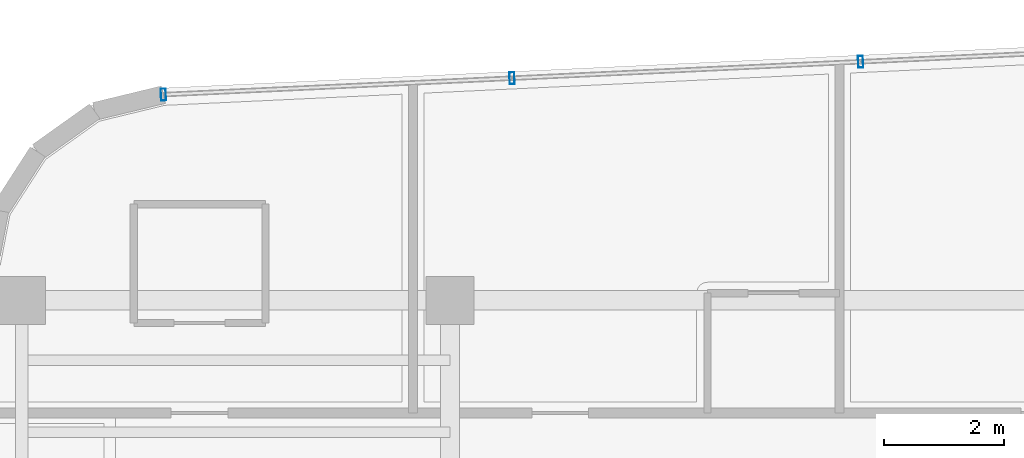
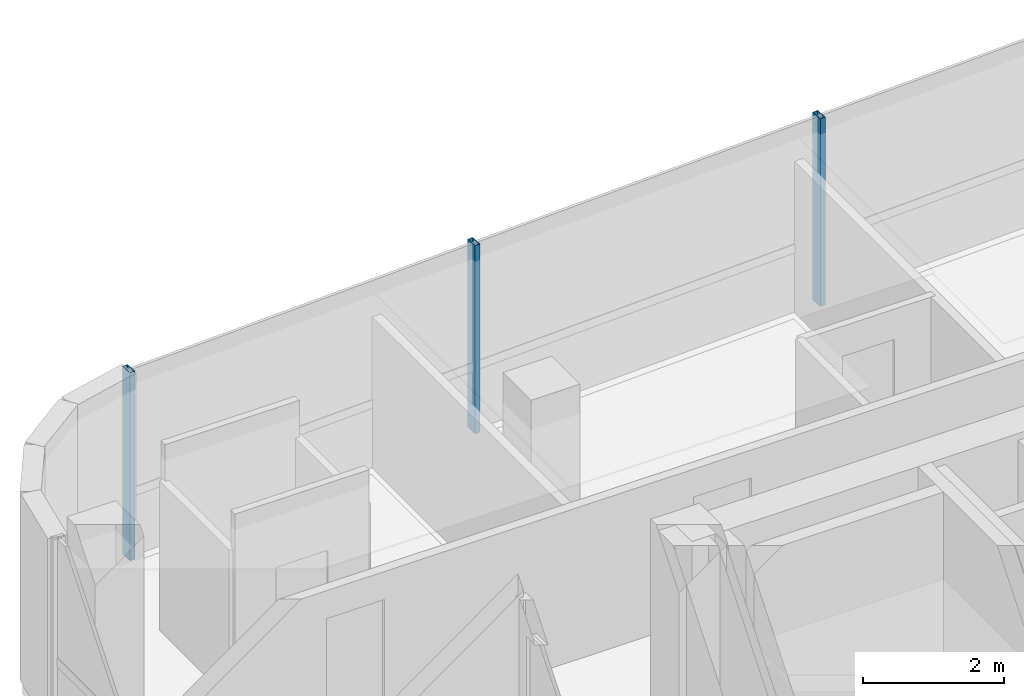
# One storey, part 10 of 19: 3 members, 1 element without a shape of its own.
"""IFC4 building model written with IfcOpenShell, lengths in metres."""

from ifc_helpers import new_model, si_unit, direction, frame, origin, origin_2d, place, context, subcontext, project, spatial, hollow_rectangle, extrude, source, transform, mapped, material, material_profile, profile_set, type_object, element, aggregate, save


model = new_model("IFC4")

# Units and contexts
model_context = context("Model", 3, precision=1e-05, world=origin(), true_north=direction((0.0, 1.0)))
body_context = subcontext(model_context, "Body", "Model", "MODEL_VIEW")
ifc_project = project(units=[si_unit("LENGTHUNIT", "METRE"), si_unit("AREAUNIT", "SQUARE_METRE"), si_unit("VOLUMEUNIT", "CUBIC_METRE"), si_unit("PLANEANGLEUNIT", "RADIAN"), si_unit("MASSUNIT", "GRAM", prefix="KILO")], contexts=[model_context])

# Site, building, storey
site_placement = place(None, origin())
site = spatial("IfcSite", under=ifc_project, at=site_placement, CompositionType="ELEMENT")
building_placement = place(site_placement, origin())
building = spatial("IfcBuilding", under=site, at=building_placement, Name="Valdorenza Pilgrim Sanctuary Tower", CompositionType="ELEMENT")
storey_placement = place(building_placement, frame((0.0, 0.0, 266.0)))
storey = spatial("IfcBuildingStorey", under=building, at=storey_placement, Name="L69", CompositionType="ELEMENT", Elevation=266.0)

# Curtain wall, members
ifc_material_1 = material(Name="Curtain-wall IGU glazing", Category="glass")
curtain_wall_type = type_object("IfcCurtainWallType", Name="CW-SYS-02", PredefinedType="NOTDEFINED", material=ifc_material_1)
curtain_wall_placement = place(storey_placement, origin())
curtain_wall = element("IfcCurtainWall", 1, at=curtain_wall_placement, inside=storey, type_object=curtain_wall_type, Name="L69 Curtain Wall CW-L69-1-6", PredefinedType="NOTDEFINED")
ifc_material_2 = material(Name="Anodised aluminium AW-6060", Category="aluminium")
ifc_material_profile = material_profile(ifc_material_2, hollow_rectangle(XDim=0.0849609375, YDim=0.199951171875, WallThickness=0.0048828125, at=origin_2d()), Name="ALU-M 200x85x5")
ifc_profile_set = profile_set([ifc_material_profile], Name="Anodised aluminium AW-6060")
member_type = type_object("IfcMemberType", Name="CW-MUL-02", PredefinedType="MULLION", material=ifc_profile_set)
shared_shape = source(origin(), body_context, "Body", "SweptSolid", [
    extrude(hollow_rectangle(XDim=0.0849609375, YDim=0.199951171875, WallThickness=0.0048828125, at=origin_2d()), origin(), (0.0, 0.0, 1.0), 3.260009765625),
])
member_1_placement = place(storey_placement, frame((-27.43505859375, 18.234375, 0.0), z_axis=(0.0, 0.0, 1.0), x_axis=(0.998890696972, 0.047089016785, 0.0)))
member_1 = element("IfcMember", 2, at=member_1_placement, type_object=member_type, Name="CW-L69-1-6 Mullion 1", PredefinedType="MULLION", context=body_context, shape_type="MappedRepresentation", body=[
    mapped(shared_shape, transform((0.0, 0.0, 0.0), x_axis=(1.0, 0.0, 0.0), y_axis=(0.0, 1.0, 0.0), z_axis=(0.0, 0.0, 1.0), scale=1.0)),
])
member_2_placement = place(storey_placement, frame((-21.615478515625, 18.5087890625, 0.0), z_axis=(0.0, 0.0, 1.0), x_axis=(0.998890696972, 0.047089016785, 0.0)))
member_2 = element("IfcMember", 3, at=member_2_placement, type_object=member_type, Name="CW-L69-1-6 Mullion 2", PredefinedType="MULLION", context=body_context, shape_type="MappedRepresentation", body=[
    mapped(shared_shape, transform((0.0, 0.0, 0.0), x_axis=(1.0, 0.0, 0.0), y_axis=(0.0, 1.0, 0.0), z_axis=(0.0, 0.0, 1.0), scale=1.0)),
])
member_3_placement = place(storey_placement, frame((-15.7958984375, 18.782958984375, 0.0), z_axis=(0.0, 0.0, 1.0), x_axis=(0.998890696972, 0.047089016785, 0.0)))
member_3 = element("IfcMember", 4, at=member_3_placement, type_object=member_type, Name="CW-L69-1-6 Mullion 3", PredefinedType="MULLION", context=body_context, shape_type="MappedRepresentation", body=[
    mapped(shared_shape, transform((0.0, 0.0, 0.0), x_axis=(1.0, 0.0, 0.0), y_axis=(0.0, 1.0, 0.0), z_axis=(0.0, 0.0, 1.0), scale=1.0)),
])
aggregate(curtain_wall, [member_1, member_2, member_3])

save(model, "model.ifc")
